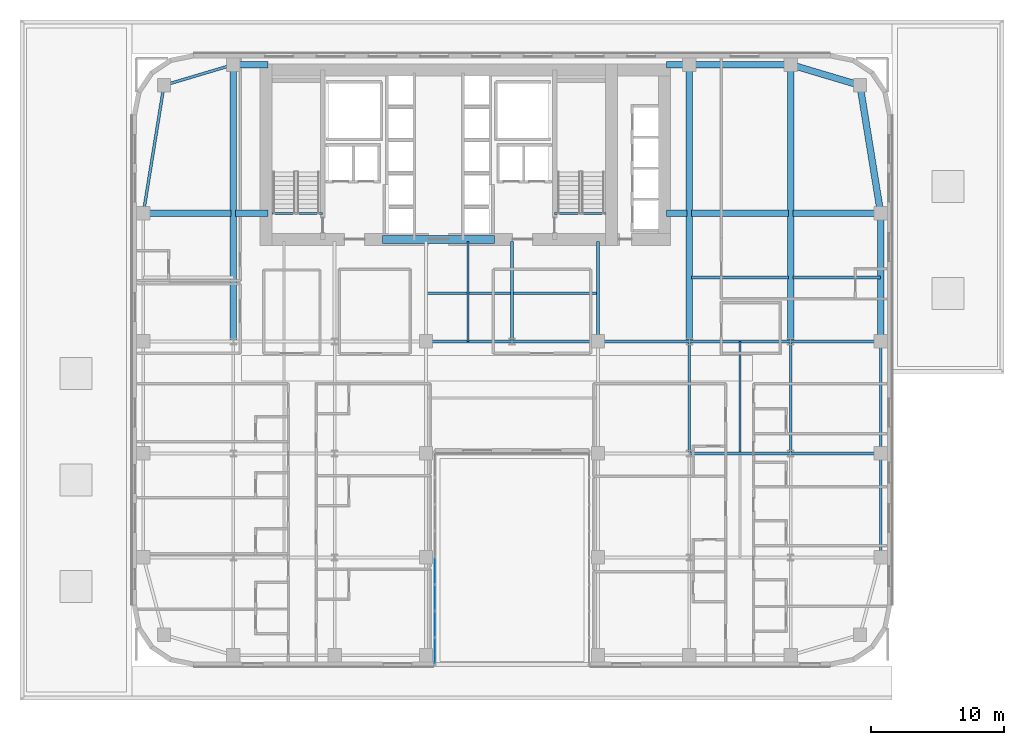
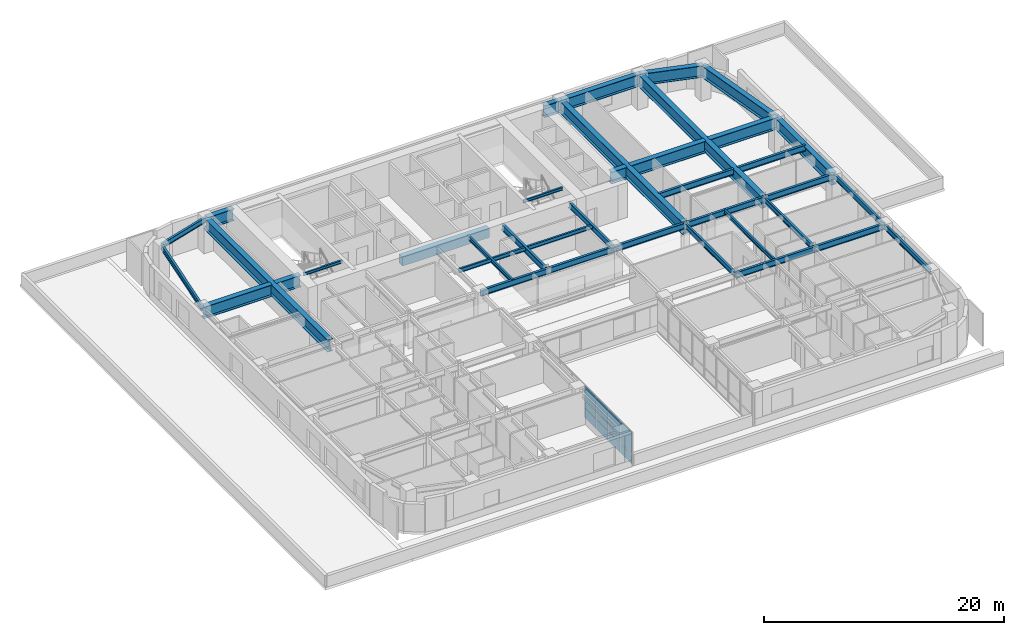
# One storey, part 11 of 25: 37 beams, 8 plates, 1 element without a shape of its own.
"""IFC4 building model written with IfcOpenShell, lengths in metres."""

from ifc_helpers import new_model, si_unit, direction, frame, origin, origin_2d, place, context, subcontext, project, spatial, rectangle, i_section, extrude, source, transform, mapped, material, layer, layer_set, material_profile, profile_set, type_object, type_shapes, element, aggregate, save


model = new_model("IFC4")

# Units and contexts
model_context = context("Model", 3, precision=1e-05, world=origin(), true_north=direction((0.0, 1.0)))
body_context = subcontext(model_context, "Body", "Model", "MODEL_VIEW")
ifc_project = project(units=[si_unit("LENGTHUNIT", "METRE"), si_unit("AREAUNIT", "SQUARE_METRE"), si_unit("VOLUMEUNIT", "CUBIC_METRE"), si_unit("PLANEANGLEUNIT", "RADIAN"), si_unit("MASSUNIT", "GRAM", prefix="KILO")], contexts=[model_context])

# Site, building, storey
site_placement = place(None, origin())
site = spatial("IfcSite", under=ifc_project, at=site_placement, CompositionType="ELEMENT")
building_placement = place(site_placement, origin())
building = spatial("IfcBuilding", under=site, at=building_placement, Name="Tolvann Quenvar Hotel", CompositionType="ELEMENT")
storey_placement = place(building_placement, frame((0.0, 0.0, 32.0)))
storey = spatial("IfcBuildingStorey", under=building, at=storey_placement, Name="L06", CompositionType="ELEMENT", Elevation=32.0)

# Beams
ifc_material_1 = material(Name="Concrete N50 (50 MPa)", Category="concrete")
ifc_material_profile_1 = material_profile(ifc_material_1, rectangle(XDim=0.60009765625, YDim=0.89990234375, at=origin_2d()), Name="RC600x900")
ifc_profile_set_1 = profile_set([ifc_material_profile_1], Name="Concrete N50 (50 MPa)")
beam_type_1 = type_object("IfcBeamType", Name="BM_LINT_RC600x900", PredefinedType="LINTEL", material=ifc_profile_set_1)
shared_shape_1 = source(origin(), body_context, "Body", "SweptSolid", [
    extrude(rectangle(XDim=0.60009765625, YDim=0.89990234375, at=origin_2d()), origin(), (0.0, 0.0, 1.0), 8.39990234375),
])
type_shapes(beam_type_1, [shared_shape_1])
beam_1_placement = place(storey_placement, frame((18.800048828125, 32.050048828125, 2.919921875), z_axis=(1.0, 0.0, 0.0), x_axis=(0.0, 1.0, 0.0)))
element("IfcBeam", 1, at=beam_1_placement, inside=storey, type_object=beam_type_1, Name="Core Coupling Lintel Beam (L06)", PredefinedType="LINTEL", context=body_context, shape_type="MappedRepresentation", body=[
    mapped(shared_shape_1, transform((0.0, 0.0, 0.0), x_axis=(1.0, 0.0, 0.0), y_axis=(0.0, 1.0, 0.0), z_axis=(0.0, 0.0, 1.0), scale=1.0)),
])
ifc_material_2 = material(Name="Steel Grade 350", Category="steel")
ifc_material_profile_2 = material_profile(ifc_material_2, i_section(OverallWidth=0.5, OverallDepth=1.199951171875, WebThickness=0.01611328125, FlangeThickness=0.0400390625, at=origin_2d()), Name="1200WB455")
ifc_profile_set_2 = profile_set([ifc_material_profile_2], Name="Steel Grade 350")
beam_type_2 = type_object("IfcBeamType", Name="BM_TG_1200WB455", PredefinedType="USERDEFINED", material=ifc_profile_set_2)
shared_shape_2 = source(origin(), body_context, "Body", "SweptSolid", [
    extrude(i_section(OverallWidth=0.5, OverallDepth=1.199951171875, WebThickness=0.01611328125, FlangeThickness=0.0400390625, at=origin_2d()), origin(), (0.0, 0.0, 1.0), 7.599853515625),
])
beam_2_placement = place(storey_placement, frame((49.39990234375, 45.14990234375, 2.77001953125), z_axis=(-1.0, 0.0, 0.0), x_axis=(0.0, -1.0, 0.0)))
element("IfcBeam", 2, at=beam_2_placement, inside=storey, type_object=beam_type_2, Name="BM-L06-FLK-E4", ObjectType="TRANSFER GIRDER", PredefinedType="USERDEFINED", context=body_context, shape_type="MappedRepresentation", body=[
    mapped(shared_shape_2, transform((0.0, 0.0, 0.0), x_axis=(1.0, 0.0, 0.0), y_axis=(0.0, 1.0, 0.0), z_axis=(0.0, 0.0, 1.0), scale=1.0)),
])
shared_shape_3 = source(origin(), body_context, "Body", "SweptSolid", [
    extrude(i_section(OverallWidth=0.5, OverallDepth=1.199951171875, WebThickness=0.01611328125, FlangeThickness=0.0400390625, at=origin_2d()), origin(), (0.0, 0.0, 1.0), 9.60009765625),
])
beam_3_placement = place(storey_placement, frame((56.14990234375, 24.39990234375, 2.77001953125), z_axis=(0.0, 1.0, 0.0), x_axis=(-1.0, 0.0, 0.0)))
element("IfcBeam", 3, at=beam_3_placement, inside=storey, type_object=beam_type_2, Name="BM-L06-FLK-E1", ObjectType="TRANSFER GIRDER", PredefinedType="USERDEFINED", context=body_context, shape_type="MappedRepresentation", body=[
    mapped(shared_shape_3, transform((0.0, 0.0, 0.0), x_axis=(1.0, 0.0, 0.0), y_axis=(0.0, 1.0, 0.0), z_axis=(0.0, 0.0, 1.0), scale=1.0)),
])
ifc_material_profile_3 = material_profile(ifc_material_2, i_section(OverallWidth=0.208984375, OverallDepth=0.528076171875, WebThickness=0.009521484375, FlangeThickness=0.01318359375, FilletRadius=0.013916015625, at=origin_2d()), Name="530UB82")
ifc_profile_set_3 = profile_set([ifc_material_profile_3], Name="Steel Grade 350")
beam_type_3 = type_object("IfcBeamType", Name="BM_SPAND_530UB82", PredefinedType="SPANDREL", material=ifc_profile_set_3)
shared_shape_4 = source(origin(), body_context, "Body", "SweptSolid", [
    extrude(i_section(OverallWidth=0.208984375, OverallDepth=0.528076171875, WebThickness=0.009521484375, FlangeThickness=0.01318359375, FilletRadius=0.013916015625, at=origin_2d()), origin(), (0.0, 0.0, 1.0), 5.42626953125),
])
beam_4_placement = place(storey_placement, frame((2.39990234375, 43.60009765625, 3.10595703125), z_axis=(0.958344815522, 0.285613750654, 0.0), x_axis=(-0.285613750654, 0.958344815522, 0.0)))
element("IfcBeam", 4, at=beam_4_placement, inside=storey, type_object=beam_type_3, Name="BM-L06-FLK-W3", PredefinedType="SPANDREL", context=body_context, shape_type="MappedRepresentation", body=[
    mapped(shared_shape_4, transform((0.0, 0.0, 0.0), x_axis=(1.0, 0.0, 0.0), y_axis=(0.0, 1.0, 0.0), z_axis=(0.0, 0.0, 1.0), scale=1.0)),
])
ifc_material_profile_4 = material_profile(ifc_material_2, i_section(OverallWidth=0.22900390625, OverallDepth=0.612060546875, WebThickness=0.011962890625, FlangeThickness=0.01953125, FilletRadius=0.013916015625, at=origin_2d()), Name="610UB125")
ifc_profile_set_4 = profile_set([ifc_material_profile_4], Name="Steel Grade 350")
beam_type_4 = type_object("IfcBeamType", Name="BM_GIRD_610UB125", PredefinedType="BEAM", material=ifc_profile_set_4)
shared_shape_5 = source(origin(), body_context, "Body", "SweptSolid", [
    extrude(i_section(OverallWidth=0.22900390625, OverallDepth=0.612060546875, WebThickness=0.011962890625, FlangeThickness=0.01953125, FilletRadius=0.013916015625, at=origin_2d()), origin(), (0.0, 0.0, 1.0), 6.75),
])
for number, where, z_axis, x_axis, name in (
    (5, (49.39990234375, 16.0, 3.06396484375), (1.0, 0.0, 0.0), (0.0, 1.0, 0.0), "BM-L06-EW-4-I4-J4"),
    (6, (49.39990234375, 24.39990234375, 3.06396484375), (1.0, 0.0, 0.0), (0.0, 1.0, 0.0), "BM-L06-EW-5-I5-J5"),
):
    element("IfcBeam", number, at=place(storey_placement, frame(where, z_axis=z_axis, x_axis=x_axis)), inside=storey, type_object=beam_type_4, Name=name, PredefinedType="BEAM", context=body_context, shape_type="MappedRepresentation", body=[
        mapped(shared_shape_5, transform((0.0, 0.0, 0.0), x_axis=(1.0, 0.0, 0.0), y_axis=(0.0, 1.0, 0.0), z_axis=(0.0, 0.0, 1.0), scale=1.0)),
    ])
shared_shape_6 = source(origin(), body_context, "Body", "SweptSolid", [
    extrude(i_section(OverallWidth=0.22900390625, OverallDepth=0.612060546875, WebThickness=0.011962890625, FlangeThickness=0.01953125, FilletRadius=0.013916015625, at=origin_2d()), origin(), (0.0, 0.0, 1.0), 7.599853515625),
])
for number, where, z_axis, x_axis, name in (
    (7, (41.800048828125, 16.0, 3.06396484375), (1.0, 0.0, 0.0), (0.0, 1.0, 0.0), "BM-L06-EW-4-H4-I4"),
    (8, (41.800048828125, 24.39990234375, 3.06396484375), (1.0, 0.0, 0.0), (0.0, 1.0, 0.0), "BM-L06-EW-5-H5-I5"),
):
    element("IfcBeam", number, at=place(storey_placement, frame(where, z_axis=z_axis, x_axis=x_axis)), inside=storey, type_object=beam_type_4, Name=name, PredefinedType="BEAM", context=body_context, shape_type="MappedRepresentation", body=[
        mapped(shared_shape_6, transform((0.0, 0.0, 0.0), x_axis=(1.0, 0.0, 0.0), y_axis=(0.0, 1.0, 0.0), z_axis=(0.0, 0.0, 1.0), scale=1.0)),
    ])
shared_shape_7 = source(origin(), body_context, "Body", "SweptSolid", [
    extrude(i_section(OverallWidth=0.22900390625, OverallDepth=0.612060546875, WebThickness=0.011962890625, FlangeThickness=0.01953125, FilletRadius=0.013916015625, at=origin_2d()), origin(), (0.0, 0.0, 1.0), 6.85009765625),
])
beam_5_placement = place(storey_placement, frame((34.949951171875, 24.39990234375, 3.06396484375), z_axis=(1.0, 0.0, 0.0), x_axis=(0.0, 1.0, 0.0)))
element("IfcBeam", 9, at=beam_5_placement, inside=storey, type_object=beam_type_4, Name="BM-L06-EW-5-F5-H5", PredefinedType="BEAM", context=body_context, shape_type="MappedRepresentation", body=[
    mapped(shared_shape_7, transform((0.0, 0.0, 0.0), x_axis=(1.0, 0.0, 0.0), y_axis=(0.0, 1.0, 0.0), z_axis=(0.0, 0.0, 1.0), scale=1.0)),
])
shared_shape_8 = source(origin(), body_context, "Body", "SweptSolid", [
    extrude(i_section(OverallWidth=0.22900390625, OverallDepth=0.612060546875, WebThickness=0.011962890625, FlangeThickness=0.01953125, FilletRadius=0.013916015625, at=origin_2d()), origin(), (0.0, 0.0, 1.0), 6.449951171875),
])
for number, where, z_axis, x_axis, name in (
    (10, (22.050048828125, 24.39990234375, 3.06396484375), (1.0, 0.0, 0.0), (0.0, 1.0, 0.0), "BM-L06-EW-5-E5-M5"),
    (11, (28.5, 24.39990234375, 3.06396484375), (1.0, 0.0, 0.0), (0.0, 1.0, 0.0), "BM-L06-EW-5-M5-F5"),
):
    element("IfcBeam", number, at=place(storey_placement, frame(where, z_axis=z_axis, x_axis=x_axis)), inside=storey, type_object=beam_type_4, Name=name, PredefinedType="BEAM", context=body_context, shape_type="MappedRepresentation", body=[
        mapped(shared_shape_8, transform((0.0, 0.0, 0.0), x_axis=(1.0, 0.0, 0.0), y_axis=(0.0, 1.0, 0.0), z_axis=(0.0, 0.0, 1.0), scale=1.0)),
    ])
shared_shape_9 = source(origin(), body_context, "Body", "SweptSolid", [
    extrude(i_section(OverallWidth=0.208984375, OverallDepth=0.528076171875, WebThickness=0.009521484375, FlangeThickness=0.01318359375, FilletRadius=0.013916015625, at=origin_2d()), origin(), (0.0, 0.0, 1.0), 7.800048828125),
])
beam_6_placement = place(storey_placement, frame((56.14990234375, 8.199951171875, 3.10595703125), z_axis=(0.0, 1.0, 0.0), x_axis=(-1.0, 0.0, 0.0)))
element("IfcBeam", 12, at=beam_6_placement, inside=storey, type_object=beam_type_3, Name="BM-L06-NS-J3-J4", PredefinedType="SPANDREL", context=body_context, shape_type="MappedRepresentation", body=[
    mapped(shared_shape_9, transform((0.0, 0.0, 0.0), x_axis=(1.0, 0.0, 0.0), y_axis=(0.0, 1.0, 0.0), z_axis=(0.0, 0.0, 1.0), scale=1.0)),
])
shared_shape_10 = source(origin(), body_context, "Body", "SweptSolid", [
    extrude(i_section(OverallWidth=0.208984375, OverallDepth=0.528076171875, WebThickness=0.009521484375, FlangeThickness=0.01318359375, FilletRadius=0.013916015625, at=origin_2d()), origin(), (0.0, 0.0, 1.0), 8.39990234375),
])
beam_7_placement = place(storey_placement, frame((56.14990234375, 16.0, 3.10595703125), z_axis=(0.0, 1.0, 0.0), x_axis=(-1.0, 0.0, 0.0)))
element("IfcBeam", 13, at=beam_7_placement, inside=storey, type_object=beam_type_3, Name="BM-L06-NS-J4-J5", PredefinedType="SPANDREL", context=body_context, shape_type="MappedRepresentation", body=[
    mapped(shared_shape_10, transform((0.0, 0.0, 0.0), x_axis=(1.0, 0.0, 0.0), y_axis=(0.0, 1.0, 0.0), z_axis=(0.0, 0.0, 1.0), scale=1.0)),
])
ifc_material_profile_5 = material_profile(ifc_material_2, i_section(OverallWidth=0.208984375, OverallDepth=0.532958984375, WebThickness=0.01025390625, FlangeThickness=0.015625, FilletRadius=0.013916015625, at=origin_2d()), Name="530UB92")
ifc_profile_set_5 = profile_set([ifc_material_profile_5], Name="Steel Grade 350")
beam_type_5 = type_object("IfcBeamType", Name="BM_GIRD_530UB92", PredefinedType="BEAM", material=ifc_profile_set_5)
shared_shape_11 = source(origin(), body_context, "Body", "SweptSolid", [
    extrude(i_section(OverallWidth=0.208984375, OverallDepth=0.532958984375, WebThickness=0.01025390625, FlangeThickness=0.015625, FilletRadius=0.013916015625, at=origin_2d()), origin(), (0.0, 0.0, 1.0), 8.39990234375),
])
type_shapes(beam_type_5, [shared_shape_11])
for number, where, z_axis, x_axis, name in (
    (14, (41.800048828125, 16.0, 3.103515625), (0.0, 1.0, 0.0), (-1.0, 0.0, 0.0), "BM-L06-NS-H4-H5"),
    (15, (49.39990234375, 16.0, 3.103515625), (0.0, 1.0, 0.0), (-1.0, 0.0, 0.0), "BM-L06-NS-I4-I5"),
):
    element("IfcBeam", number, at=place(storey_placement, frame(where, z_axis=z_axis, x_axis=x_axis)), inside=storey, type_object=beam_type_5, Name=name, PredefinedType="BEAM", context=body_context, shape_type="MappedRepresentation", body=[
        mapped(shared_shape_11, transform((0.0, 0.0, 0.0), x_axis=(1.0, 0.0, 0.0), y_axis=(0.0, 1.0, 0.0), z_axis=(0.0, 0.0, 1.0), scale=1.0)),
    ])
shared_shape_12 = source(origin(), body_context, "Body", "SweptSolid", [
    extrude(i_section(OverallWidth=0.22900390625, OverallDepth=0.612060546875, WebThickness=0.011962890625, FlangeThickness=0.01953125, FilletRadius=0.013916015625, at=origin_2d()), origin(), (0.0, 0.0, 1.0), 7.5),
])
for number, where, z_axis, x_axis, name in (
    (16, (34.949951171875, 24.39990234375, 3.06396484375), (0.0, 1.0, 0.0), (-1.0, 0.0, 0.0), "BM-L06-CORE-F5"),
    (17, (28.5, 24.39990234375, 3.06396484375), (0.0, 1.0, 0.0), (-1.0, 0.0, 0.0), "BM-L06-CORE-M5"),
):
    element("IfcBeam", number, at=place(storey_placement, frame(where, z_axis=z_axis, x_axis=x_axis)), inside=storey, type_object=beam_type_4, Name=name, PredefinedType="BEAM", context=body_context, shape_type="MappedRepresentation", body=[
        mapped(shared_shape_12, transform((0.0, 0.0, 0.0), x_axis=(1.0, 0.0, 0.0), y_axis=(0.0, 1.0, 0.0), z_axis=(0.0, 0.0, 1.0), scale=1.0)),
    ])
shared_shape_13 = source(origin(), body_context, "Body", "SweptSolid", [
    extrude(i_section(OverallWidth=0.208984375, OverallDepth=0.528076171875, WebThickness=0.009521484375, FlangeThickness=0.01318359375, FilletRadius=0.013916015625, at=origin_2d()), origin(), (0.0, 0.0, 1.0), 9.724365234375),
])
type_shapes(beam_type_3, [shared_shape_4, shared_shape_9, shared_shape_10, shared_shape_13])
beam_8_placement = place(storey_placement, frame((0.85009765625, 34.0, 3.10595703125), z_axis=(0.159372939192, 0.987218449105, 0.0), x_axis=(-0.987218449105, 0.159372939192, 0.0)))
element("IfcBeam", 18, at=beam_8_placement, inside=storey, type_object=beam_type_3, Name="BM-L06-FLK-W2", PredefinedType="SPANDREL", context=body_context, shape_type="MappedRepresentation", body=[
    mapped(shared_shape_13, transform((0.0, 0.0, 0.0), x_axis=(1.0, 0.0, 0.0), y_axis=(0.0, 1.0, 0.0), z_axis=(0.0, 0.0, 1.0), scale=1.0)),
])
shared_shape_14 = source(origin(), body_context, "Body", "SweptSolid", [
    extrude(i_section(OverallWidth=0.5, OverallDepth=1.199951171875, WebThickness=0.01611328125, FlangeThickness=0.0400390625, at=origin_2d()), origin(), (0.0, 0.0, 1.0), 20.75),
])
for number, where, z_axis, x_axis, name in (
    (19, (7.60009765625, 24.39990234375, 2.77001953125), (0.0, 1.0, 0.0), (-1.0, 0.0, 0.0), "BM-L06-FLK-WC"),
    (20, (41.800048828125, 24.39990234375, 2.77001953125), (0.0, 1.0, 0.0), (-1.0, 0.0, 0.0), "BM-L06-FLK-EH"),
    (21, (49.39990234375, 24.39990234375, 2.77001953125), (0.0, 1.0, 0.0), (-1.0, 0.0, 0.0), "BM-L06-FLK-EI"),
):
    element("IfcBeam", number, at=place(storey_placement, frame(where, z_axis=z_axis, x_axis=x_axis)), inside=storey, type_object=beam_type_2, Name=name, ObjectType="TRANSFER GIRDER", PredefinedType="USERDEFINED", context=body_context, shape_type="MappedRepresentation", body=[
        mapped(shared_shape_14, transform((0.0, 0.0, 0.0), x_axis=(1.0, 0.0, 0.0), y_axis=(0.0, 1.0, 0.0), z_axis=(0.0, 0.0, 1.0), scale=1.0)),
    ])
shared_shape_15 = source(origin(), body_context, "Body", "SweptSolid", [
    extrude(i_section(OverallWidth=0.5, OverallDepth=1.199951171875, WebThickness=0.01611328125, FlangeThickness=0.0400390625, at=origin_2d()), origin(), (0.0, 0.0, 1.0), 6.56982421875),
])
for number, where, z_axis, x_axis, name in (
    (22, (0.85009765625, 34.0, 2.77001953125), (1.0, 0.0, 0.0), (0.0, 1.0, 0.0), "BM-L06-CTW-MID1"),
    (23, (49.580078125, 34.0, 2.77001953125), (1.0, 0.0, 0.0), (0.0, 1.0, 0.0), "BM-L06-CTE-JD6C"),
):
    element("IfcBeam", number, at=place(storey_placement, frame(where, z_axis=z_axis, x_axis=x_axis)), inside=storey, type_object=beam_type_2, Name=name, ObjectType="TRANSFER GIRDER", PredefinedType="USERDEFINED", context=body_context, shape_type="MappedRepresentation", body=[
        mapped(shared_shape_15, transform((0.0, 0.0, 0.0), x_axis=(1.0, 0.0, 0.0), y_axis=(0.0, 1.0, 0.0), z_axis=(0.0, 0.0, 1.0), scale=1.0)),
    ])
shared_shape_16 = source(origin(), body_context, "Body", "SweptSolid", [
    extrude(i_section(OverallWidth=0.5, OverallDepth=1.199951171875, WebThickness=0.01611328125, FlangeThickness=0.0400390625, at=origin_2d()), origin(), (0.0, 0.0, 1.0), 2.419921875),
])
beam_9_placement = place(storey_placement, frame((7.780029296875, 34.0, 2.77001953125), z_axis=(1.0, 0.0, 0.0), x_axis=(0.0, 1.0, 0.0)))
element("IfcBeam", 24, at=beam_9_placement, inside=storey, type_object=beam_type_2, Name="BM-L06-CTW-MID2", ObjectType="TRANSFER GIRDER", PredefinedType="USERDEFINED", context=body_context, shape_type="MappedRepresentation", body=[
    mapped(shared_shape_16, transform((0.0, 0.0, 0.0), x_axis=(1.0, 0.0, 0.0), y_axis=(0.0, 1.0, 0.0), z_axis=(0.0, 0.0, 1.0), scale=1.0)),
])
shared_shape_17 = source(origin(), body_context, "Body", "SweptSolid", [
    extrude(i_section(OverallWidth=0.5, OverallDepth=1.199951171875, WebThickness=0.01611328125, FlangeThickness=0.0400390625, at=origin_2d()), origin(), (0.0, 0.0, 1.0), 2.599853515625),
])
beam_10_placement = place(storey_placement, frame((7.60009765625, 45.14990234375, 2.77001953125), z_axis=(1.0, 0.0, 0.0), x_axis=(0.0, 1.0, 0.0)))
element("IfcBeam", 25, at=beam_10_placement, inside=storey, type_object=beam_type_2, Name="BM-L06-CTW-CN", ObjectType="TRANSFER GIRDER", PredefinedType="USERDEFINED", context=body_context, shape_type="MappedRepresentation", body=[
    mapped(shared_shape_17, transform((0.0, 0.0, 0.0), x_axis=(1.0, 0.0, 0.0), y_axis=(0.0, 1.0, 0.0), z_axis=(0.0, 0.0, 1.0), scale=1.0)),
])
shared_shape_18 = source(origin(), body_context, "Body", "SweptSolid", [
    extrude(i_section(OverallWidth=0.5, OverallDepth=1.199951171875, WebThickness=0.01611328125, FlangeThickness=0.0400390625, at=origin_2d()), origin(), (0.0, 0.0, 1.0), 9.724365234375),
])
beam_11_placement = place(storey_placement, frame((56.14990234375, 34.0, 2.77001953125), z_axis=(-0.159372939192, 0.987218449105, 0.0), x_axis=(-0.987218449105, -0.159372939192, 0.0)))
element("IfcBeam", 26, at=beam_11_placement, inside=storey, type_object=beam_type_2, Name="BM-L06-FLK-E2", ObjectType="TRANSFER GIRDER", PredefinedType="USERDEFINED", context=body_context, shape_type="MappedRepresentation", body=[
    mapped(shared_shape_18, transform((0.0, 0.0, 0.0), x_axis=(1.0, 0.0, 0.0), y_axis=(0.0, 1.0, 0.0), z_axis=(0.0, 0.0, 1.0), scale=1.0)),
])
shared_shape_19 = source(origin(), body_context, "Body", "SweptSolid", [
    extrude(i_section(OverallWidth=0.5, OverallDepth=1.199951171875, WebThickness=0.01611328125, FlangeThickness=0.0400390625, at=origin_2d()), origin(), (0.0, 0.0, 1.0), 5.42626953125),
])
beam_12_placement = place(storey_placement, frame((54.60009765625, 43.60009765625, 2.77001953125), z_axis=(-0.958344815522, 0.285613750654, 0.0), x_axis=(-0.285613750654, -0.958344815522, 0.0)))
element("IfcBeam", 27, at=beam_12_placement, inside=storey, type_object=beam_type_2, Name="BM-L06-FLK-E3", ObjectType="TRANSFER GIRDER", PredefinedType="USERDEFINED", context=body_context, shape_type="MappedRepresentation", body=[
    mapped(shared_shape_19, transform((0.0, 0.0, 0.0), x_axis=(1.0, 0.0, 0.0), y_axis=(0.0, 1.0, 0.0), z_axis=(0.0, 0.0, 1.0), scale=1.0)),
])
shared_shape_20 = source(origin(), body_context, "Body", "SweptSolid", [
    extrude(i_section(OverallWidth=0.5, OverallDepth=1.199951171875, WebThickness=0.01611328125, FlangeThickness=0.0400390625, at=origin_2d()), origin(), (0.0, 0.0, 1.0), 1.699951171875),
])
beam_13_placement = place(storey_placement, frame((40.10009765625, 45.14990234375, 2.77001953125), z_axis=(1.0, 0.0, 0.0), x_axis=(0.0, 1.0, 0.0)))
element("IfcBeam", 28, at=beam_13_placement, inside=storey, type_object=beam_type_2, Name="BM-L06-CTE-HN", ObjectType="TRANSFER GIRDER", PredefinedType="USERDEFINED", context=body_context, shape_type="MappedRepresentation", body=[
    mapped(shared_shape_20, transform((0.0, 0.0, 0.0), x_axis=(1.0, 0.0, 0.0), y_axis=(0.0, 1.0, 0.0), z_axis=(0.0, 0.0, 1.0), scale=1.0)),
])
shared_shape_21 = source(origin(), body_context, "Body", "SweptSolid", [
    extrude(i_section(OverallWidth=0.5, OverallDepth=1.199951171875, WebThickness=0.01611328125, FlangeThickness=0.0400390625, at=origin_2d()), origin(), (0.0, 0.0, 1.0), 1.52001953125),
])
beam_14_placement = place(storey_placement, frame((40.10009765625, 34.0, 2.77001953125), z_axis=(1.0, 0.0, 0.0), x_axis=(0.0, 1.0, 0.0)))
element("IfcBeam", 29, at=beam_14_placement, inside=storey, type_object=beam_type_2, Name="BM-L06-CTE-JD6A", ObjectType="TRANSFER GIRDER", PredefinedType="USERDEFINED", context=body_context, shape_type="MappedRepresentation", body=[
    mapped(shared_shape_21, transform((0.0, 0.0, 0.0), x_axis=(1.0, 0.0, 0.0), y_axis=(0.0, 1.0, 0.0), z_axis=(0.0, 0.0, 1.0), scale=1.0)),
])
shared_shape_22 = source(origin(), body_context, "Body", "SweptSolid", [
    extrude(i_section(OverallWidth=0.5, OverallDepth=1.199951171875, WebThickness=0.01611328125, FlangeThickness=0.0400390625, at=origin_2d()), origin(), (0.0, 0.0, 1.0), 7.239990234375),
])
type_shapes(beam_type_2, [shared_shape_2, shared_shape_3, shared_shape_14, shared_shape_15, shared_shape_16, shared_shape_17, shared_shape_18, shared_shape_19, shared_shape_20, shared_shape_21, shared_shape_22])
beam_15_placement = place(storey_placement, frame((41.97998046875, 34.0, 2.77001953125), z_axis=(1.0, 0.0, 0.0), x_axis=(0.0, 1.0, 0.0)))
element("IfcBeam", 30, at=beam_15_placement, inside=storey, type_object=beam_type_2, Name="BM-L06-CTE-JD6B", ObjectType="TRANSFER GIRDER", PredefinedType="USERDEFINED", context=body_context, shape_type="MappedRepresentation", body=[
    mapped(shared_shape_22, transform((0.0, 0.0, 0.0), x_axis=(1.0, 0.0, 0.0), y_axis=(0.0, 1.0, 0.0), z_axis=(0.0, 0.0, 1.0), scale=1.0)),
])
shared_shape_23 = source(origin(), body_context, "Body", "SweptSolid", [
    extrude(i_section(OverallWidth=0.22900390625, OverallDepth=0.612060546875, WebThickness=0.011962890625, FlangeThickness=0.01953125, FilletRadius=0.013916015625, at=origin_2d()), origin(), (0.0, 0.0, 1.0), 7.239990234375),
])
beam_16_placement = place(storey_placement, frame((41.97998046875, 29.199951171875, 3.06396484375), z_axis=(1.0, 0.0, 0.0), x_axis=(0.0, 1.0, 0.0)))
element("IfcBeam", 31, at=beam_16_placement, inside=storey, type_object=beam_type_4, Name="BM-L06-EW-HI29", PredefinedType="BEAM", context=body_context, shape_type="MappedRepresentation", body=[
    mapped(shared_shape_23, transform((0.0, 0.0, 0.0), x_axis=(1.0, 0.0, 0.0), y_axis=(0.0, 1.0, 0.0), z_axis=(0.0, 0.0, 1.0), scale=1.0)),
])
shared_shape_24 = source(origin(), body_context, "Body", "SweptSolid", [
    extrude(i_section(OverallWidth=0.22900390625, OverallDepth=0.612060546875, WebThickness=0.011962890625, FlangeThickness=0.01953125, FilletRadius=0.013916015625, at=origin_2d()), origin(), (0.0, 0.0, 1.0), 6.56982421875),
])
type_shapes(beam_type_4, [shared_shape_5, shared_shape_6, shared_shape_7, shared_shape_8, shared_shape_12, shared_shape_23, shared_shape_24])
beam_17_placement = place(storey_placement, frame((49.580078125, 29.199951171875, 3.06396484375), z_axis=(1.0, 0.0, 0.0), x_axis=(0.0, 1.0, 0.0)))
element("IfcBeam", 32, at=beam_17_placement, inside=storey, type_object=beam_type_4, Name="BM-L06-EW-IJ29", PredefinedType="BEAM", context=body_context, shape_type="MappedRepresentation", body=[
    mapped(shared_shape_24, transform((0.0, 0.0, 0.0), x_axis=(1.0, 0.0, 0.0), y_axis=(0.0, 1.0, 0.0), z_axis=(0.0, 0.0, 1.0), scale=1.0)),
])
ifc_material_profile_6 = material_profile(ifc_material_2, i_section(OverallWidth=0.177978515625, OverallDepth=0.406005859375, WebThickness=0.0078125, FlangeThickness=0.0126953125, FilletRadius=0.011474609375, at=origin_2d()), Name="410UB60")
ifc_profile_set_6 = profile_set([ifc_material_profile_6], Name="Steel Grade 350")
beam_type_6 = type_object("IfcBeamType", Name="BM_JOIST_410UB60", PredefinedType="JOIST", material=ifc_profile_set_6)
shared_shape_25 = source(origin(), body_context, "Body", "SweptSolid", [
    extrude(i_section(OverallWidth=0.177978515625, OverallDepth=0.406005859375, WebThickness=0.0078125, FlangeThickness=0.0126953125, FilletRadius=0.011474609375, at=origin_2d()), origin(), (0.0, 0.0, 1.0), 12.89990234375),
])
beam_18_placement = place(storey_placement, frame((22.050048828125, 28.0, 3.1669921875), z_axis=(1.0, 0.0, 0.0), x_axis=(0.0, 1.0, 0.0)))
element("IfcBeam", 33, at=beam_18_placement, inside=storey, type_object=beam_type_6, Name="BM-L06-SPINE-28", PredefinedType="JOIST", context=body_context, shape_type="MappedRepresentation", body=[
    mapped(shared_shape_25, transform((0.0, 0.0, 0.0), x_axis=(1.0, 0.0, 0.0), y_axis=(0.0, 1.0, 0.0), z_axis=(0.0, 0.0, 1.0), scale=1.0)),
])
shared_shape_26 = source(origin(), body_context, "Body", "SweptSolid", [
    extrude(i_section(OverallWidth=0.177978515625, OverallDepth=0.406005859375, WebThickness=0.0078125, FlangeThickness=0.0126953125, FilletRadius=0.011474609375, at=origin_2d()), origin(), (0.0, 0.0, 1.0), 7.5),
])
beam_19_placement = place(storey_placement, frame((25.199951171875, 24.39990234375, 3.1669921875), z_axis=(0.0, 1.0, 0.0), x_axis=(-1.0, 0.0, 0.0)))
element("IfcBeam", 34, at=beam_19_placement, inside=storey, type_object=beam_type_6, Name="BJ-L06-252-244", PredefinedType="JOIST", context=body_context, shape_type="MappedRepresentation", body=[
    mapped(shared_shape_26, transform((0.0, 0.0, 0.0), x_axis=(1.0, 0.0, 0.0), y_axis=(0.0, 1.0, 0.0), z_axis=(0.0, 0.0, 1.0), scale=1.0)),
])
shared_shape_27 = source(origin(), body_context, "Body", "SweptSolid", [
    extrude(i_section(OverallWidth=0.177978515625, OverallDepth=0.406005859375, WebThickness=0.0078125, FlangeThickness=0.0126953125, FilletRadius=0.011474609375, at=origin_2d()), origin(), (0.0, 0.0, 1.0), 8.29150390625),
])
type_shapes(beam_type_6, [shared_shape_25, shared_shape_26, shared_shape_27])
beam_20_placement = place(storey_placement, frame((45.60009765625, 16.1083984375, 3.1669921875), z_axis=(0.0, 1.0, 0.0), x_axis=(-1.0, 0.0, 0.0)))
element("IfcBeam", 35, at=beam_20_placement, inside=storey, type_object=beam_type_6, Name="BJ-L06-456-160", PredefinedType="JOIST", context=body_context, shape_type="MappedRepresentation", body=[
    mapped(shared_shape_27, transform((0.0, 0.0, 0.0), x_axis=(1.0, 0.0, 0.0), y_axis=(0.0, 1.0, 0.0), z_axis=(0.0, 0.0, 1.0), scale=1.0)),
])
ifc_material_profile_7 = material_profile(ifc_material_2, i_section(OverallWidth=0.166015625, OverallDepth=0.306884765625, WebThickness=0.006591796875, FlangeThickness=0.01171875, FilletRadius=0.011474609375, at=origin_2d()), Name="310UB46")
ifc_profile_set_7 = profile_set([ifc_material_profile_7], Name="Steel Grade 350")
beam_type_7 = type_object("IfcBeamType", Name="BM_JOIST_310UB46", PredefinedType="JOIST", material=ifc_profile_set_7)
shared_shape_28 = source(origin(), body_context, "Body", "SweptSolid", [
    extrude(i_section(OverallWidth=0.166015625, OverallDepth=0.306884765625, WebThickness=0.006591796875, FlangeThickness=0.01171875, FilletRadius=0.011474609375, at=origin_2d()), origin(), (0.0, 0.0, 1.0), 3.800048828125),
])
type_shapes(beam_type_7, [shared_shape_28])
for number, where, z_axis, x_axis, name in (
    (36, (10.5, 33.97998046875, 3.216552734375), (1.0, 0.0, 0.0), (0.0, 1.0, 0.0), "BM-HDR-STC1-L07"),
    (37, (31.699951171875, 33.97998046875, 3.216552734375), (1.0, 0.0, 0.0), (0.0, 1.0, 0.0), "BM-HDR-STC2-L07"),
):
    element("IfcBeam", number, at=place(storey_placement, frame(where, z_axis=z_axis, x_axis=x_axis)), inside=storey, type_object=beam_type_7, Name=name, PredefinedType="JOIST", context=body_context, shape_type="MappedRepresentation", body=[
        mapped(shared_shape_28, transform((0.0, 0.0, 0.0), x_axis=(1.0, 0.0, 0.0), y_axis=(0.0, 1.0, 0.0), z_axis=(0.0, 0.0, 1.0), scale=1.0)),
    ])

# Curtain wall, plates
ifc_material_3 = material(Name="Thermally broken anodised architectural aluminium 6063-T6 and laminated low-E glass", Category="aluminium")
ifc_layer_1 = layer(ifc_material_3, 0.179931640625)
ifc_layer_set_1 = layer_set([ifc_layer_1], Name="Thermally broken anodised architectural aluminium 6063-T6 and laminated low-E glass")
curtain_wall_type = type_object("IfcCurtainWallType", Name="CW_SYS_SLOT_03", PredefinedType="USERDEFINED", material=ifc_layer_set_1)
curtain_wall_placement = place(storey_placement, origin())
curtain_wall = element("IfcCurtainWall", 38, at=curtain_wall_placement, inside=storey, type_object=curtain_wall_type, Name="Curtain Wall CW-SLOT-03 (CWR-L06-E05)", ObjectType="UNITISED CURTAIN WALL", PredefinedType="USERDEFINED")
ifc_material_4 = material(Name="Low-iron laminated double glazing with solar-control coating", Category="glass")
ifc_layer_2 = layer(ifc_material_4, 0.028076171875)
ifc_layer_set_2 = layer_set([ifc_layer_2], Name="Low-iron laminated double glazing with solar-control coating")
plate_type = type_object("IfcPlateType", Name="CW_PAN_VISION_28", PredefinedType="CURTAIN_PANEL", material=ifc_layer_set_2)
shared_shape_29 = source(origin(), body_context, "Body", "SweptSolid", [
    extrude(rectangle(XDim=1.89501953125, YDim=0.028076171875, at=origin_2d()), origin(), (0.0, 0.0, 1.0), 0.9599609375),
])
plate_1_placement = place(storey_placement, frame((22.7099609375, 1.1923828125, 0.06005859375), z_axis=(0.0, 0.0, 1.0), x_axis=(0.0, 1.0, 0.0)))
plate_1 = element("IfcPlate", 39, at=plate_1_placement, type_object=plate_type, Name="CW-SLOT-03 panel 1.1", PredefinedType="CURTAIN_PANEL", context=body_context, shape_type="MappedRepresentation", body=[
    mapped(shared_shape_29, transform((0.0, 0.0, 0.0), x_axis=(1.0, 0.0, 0.0), y_axis=(0.0, 1.0, 0.0), z_axis=(0.0, 0.0, 1.0), scale=1.0)),
])
shared_shape_30 = source(origin(), body_context, "Body", "SweptSolid", [
    extrude(rectangle(XDim=1.89501953125, YDim=0.028076171875, at=origin_2d()), origin(), (0.0, 0.0, 1.0), 2.22998046875),
])
plate_2_placement = place(storey_placement, frame((22.7099609375, 1.1923828125, 1.080078125), z_axis=(0.0, 0.0, 1.0), x_axis=(0.0, 1.0, 0.0)))
plate_2 = element("IfcPlate", 40, at=plate_2_placement, type_object=plate_type, Name="CW-SLOT-03 panel 1.2", PredefinedType="CURTAIN_PANEL", context=body_context, shape_type="MappedRepresentation", body=[
    mapped(shared_shape_30, transform((0.0, 0.0, 0.0), x_axis=(1.0, 0.0, 0.0), y_axis=(0.0, 1.0, 0.0), z_axis=(0.0, 0.0, 1.0), scale=1.0)),
])
shared_shape_31 = source(origin(), body_context, "Body", "SweptSolid", [
    extrude(rectangle(XDim=1.929931640625, YDim=0.028076171875, at=origin_2d()), origin(), (0.0, 0.0, 1.0), 0.9599609375),
])
plate_3_placement = place(storey_placement, frame((22.7099609375, 3.175048828125, 0.06005859375), z_axis=(0.0, 0.0, 1.0), x_axis=(0.0, 1.0, 0.0)))
plate_3 = element("IfcPlate", 41, at=plate_3_placement, type_object=plate_type, Name="CW-SLOT-03 panel 2.1", PredefinedType="CURTAIN_PANEL", context=body_context, shape_type="MappedRepresentation", body=[
    mapped(shared_shape_31, transform((0.0, 0.0, 0.0), x_axis=(1.0, 0.0, 0.0), y_axis=(0.0, 1.0, 0.0), z_axis=(0.0, 0.0, 1.0), scale=1.0)),
])
plate_4_placement = place(storey_placement, frame((22.7099609375, 5.175048828125, 0.06005859375), z_axis=(0.0, 0.0, 1.0), x_axis=(0.0, 1.0, 0.0)))
plate_4 = element("IfcPlate", 42, at=plate_4_placement, type_object=plate_type, Name="CW-SLOT-03 panel 3.1", PredefinedType="CURTAIN_PANEL", context=body_context, shape_type="MappedRepresentation", body=[
    mapped(shared_shape_31, transform((0.0, 0.0, 0.0), x_axis=(1.0, 0.0, 0.0), y_axis=(0.0, 1.0, 0.0), z_axis=(0.0, 0.0, 1.0), scale=1.0)),
])
plate_5_placement = place(storey_placement, frame((22.7099609375, 7.175048828125, 0.06005859375), z_axis=(0.0, 0.0, 1.0), x_axis=(0.0, 1.0, 0.0)))
plate_5 = element("IfcPlate", 43, at=plate_5_placement, type_object=plate_type, Name="CW-SLOT-03 panel 4.1", PredefinedType="CURTAIN_PANEL", context=body_context, shape_type="MappedRepresentation", body=[
    mapped(shared_shape_31, transform((0.0, 0.0, 0.0), x_axis=(1.0, 0.0, 0.0), y_axis=(0.0, 1.0, 0.0), z_axis=(0.0, 0.0, 1.0), scale=1.0)),
])
shared_shape_32 = source(origin(), body_context, "Body", "SweptSolid", [
    extrude(rectangle(XDim=1.929931640625, YDim=0.028076171875, at=origin_2d()), origin(), (0.0, 0.0, 1.0), 2.22998046875),
])
type_shapes(plate_type, [shared_shape_29, shared_shape_30, shared_shape_31, shared_shape_32])
plate_6_placement = place(storey_placement, frame((22.7099609375, 3.175048828125, 1.080078125), z_axis=(0.0, 0.0, 1.0), x_axis=(0.0, 1.0, 0.0)))
plate_6 = element("IfcPlate", 44, at=plate_6_placement, type_object=plate_type, Name="CW-SLOT-03 panel 2.2", PredefinedType="CURTAIN_PANEL", context=body_context, shape_type="MappedRepresentation", body=[
    mapped(shared_shape_32, transform((0.0, 0.0, 0.0), x_axis=(1.0, 0.0, 0.0), y_axis=(0.0, 1.0, 0.0), z_axis=(0.0, 0.0, 1.0), scale=1.0)),
])
plate_7_placement = place(storey_placement, frame((22.7099609375, 5.175048828125, 1.080078125), z_axis=(0.0, 0.0, 1.0), x_axis=(0.0, 1.0, 0.0)))
plate_7 = element("IfcPlate", 45, at=plate_7_placement, type_object=plate_type, Name="CW-SLOT-03 panel 3.2", PredefinedType="CURTAIN_PANEL", context=body_context, shape_type="MappedRepresentation", body=[
    mapped(shared_shape_32, transform((0.0, 0.0, 0.0), x_axis=(1.0, 0.0, 0.0), y_axis=(0.0, 1.0, 0.0), z_axis=(0.0, 0.0, 1.0), scale=1.0)),
])
plate_8_placement = place(storey_placement, frame((22.7099609375, 7.175048828125, 1.080078125), z_axis=(0.0, 0.0, 1.0), x_axis=(0.0, 1.0, 0.0)))
plate_8 = element("IfcPlate", 46, at=plate_8_placement, type_object=plate_type, Name="CW-SLOT-03 panel 4.2", PredefinedType="CURTAIN_PANEL", context=body_context, shape_type="MappedRepresentation", body=[
    mapped(shared_shape_32, transform((0.0, 0.0, 0.0), x_axis=(1.0, 0.0, 0.0), y_axis=(0.0, 1.0, 0.0), z_axis=(0.0, 0.0, 1.0), scale=1.0)),
])
aggregate(curtain_wall, [plate_1, plate_2, plate_3, plate_6, plate_4, plate_7, plate_5, plate_8])

save(model, "model.ifc")
